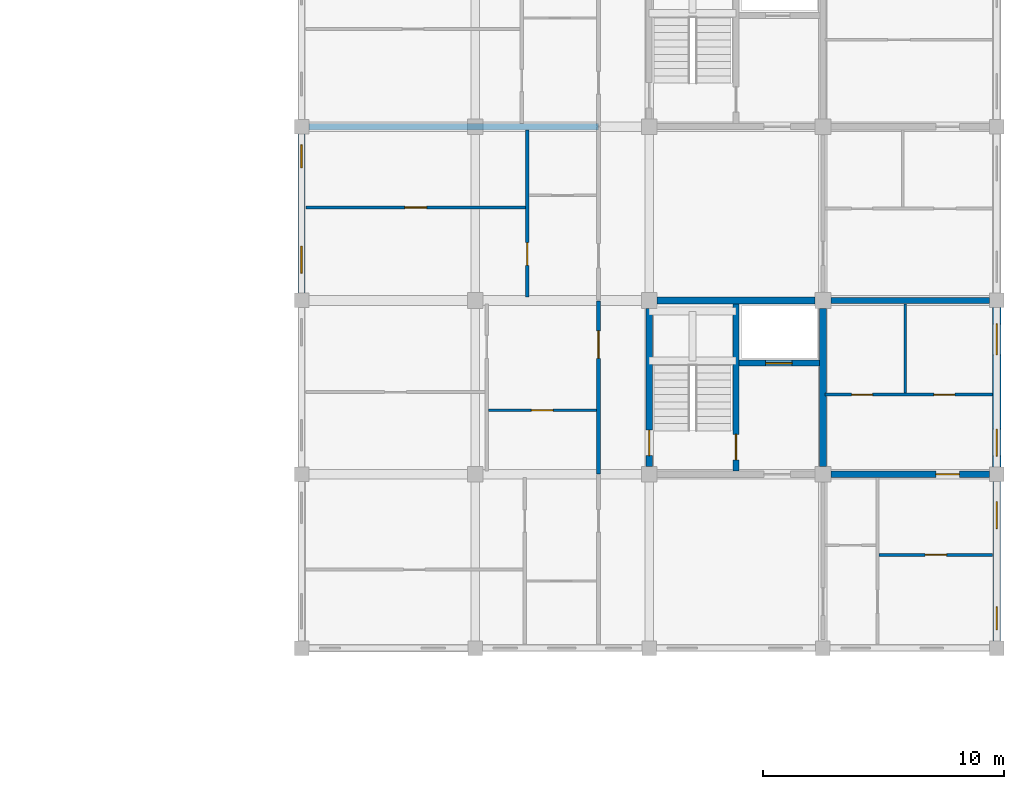
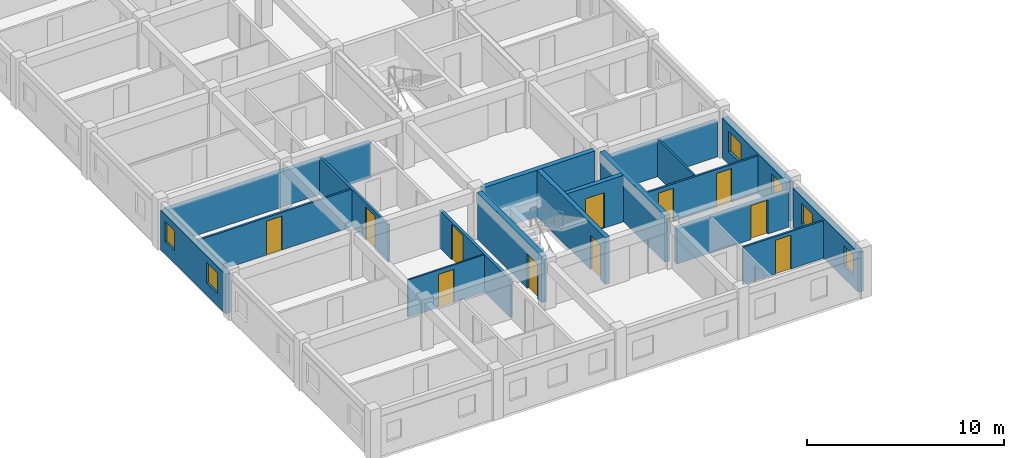
# One storey, part 30 of 50: 18 walls, 11 doors, 6 windows, 17 openings.
"""IFC4 building model written with IfcOpenShell, lengths in metres."""

from ifc_helpers import new_model, si_unit, direction, frame, frame_2d, origin, place, context, subcontext, project, spatial, rectangle, extrude, material, layer, layer_set, type_object, element, fill, save


model = new_model("IFC4")

# Units and contexts
model_context = context("Model", 3, precision=1e-05, world=origin(), true_north=direction((0.0, 1.0)))
body_context = subcontext(model_context, "Body", "Model", "MODEL_VIEW")
ifc_project = project(units=[si_unit("LENGTHUNIT", "METRE"), si_unit("AREAUNIT", "SQUARE_METRE"), si_unit("VOLUMEUNIT", "CUBIC_METRE"), si_unit("PLANEANGLEUNIT", "RADIAN"), si_unit("MASSUNIT", "GRAM", prefix="KILO"), si_unit("THERMODYNAMICTEMPERATUREUNIT", "KELVIN"), si_unit("POWERUNIT", "WATT")], contexts=[model_context])

# Site, building, storey
site_placement = place(None, origin())
site = spatial("IfcSite", under=ifc_project, at=site_placement, CompositionType="ELEMENT")
building_placement = place(site_placement, origin())
building = spatial("IfcBuilding", under=site, at=building_placement, Name="Tavuni Mirador Residences", CompositionType="ELEMENT")
storey_placement = place(building_placement, frame((0.0, 0.0, 4.5)))
storey = spatial("IfcBuildingStorey", under=building, at=storey_placement, Name="L01", CompositionType="ELEMENT", Elevation=4.5)

# Wall, opening, door
ifc_material_1 = material(Name="Precast concrete C40/50", Category="concrete")
ifc_layer_1 = layer(ifc_material_1, 0.25, Name="Precast concrete C40/50", Category="concrete")
ifc_layer_set_1 = layer_set([ifc_layer_1], Name="Precast concrete C40/50")
wall_type_1 = type_object("IfcWallType", Name="WT-COR250", PredefinedType="SHEAR", material=ifc_layer_set_1)
wall_1_placement = place(storey_placement, frame((108.0, 93.739990234375, 0.0), z_axis=(0.0, 0.0, 1.0), x_axis=(0.0, 1.0, 0.0)))
wall_1 = element("IfcWall", 1, at=wall_1_placement, inside=storey, type_object=wall_type_1, Name="CWALL-C7-L01-MID", PredefinedType="SHEAR", context=body_context, shape_type="SweptSolid", body=[
    extrude(rectangle(XDim=6.919921875, YDim=0.25, at=frame_2d((3.4599609375, 0.0))), origin(), (0.0, 0.0, 1.0), 2.889892578125),
])
opening_1_placement = place(wall_1_placement, frame((0.4599609375, 0.0, 0.0)))
opening_1 = element("IfcOpeningElement", 2, at=opening_1_placement, cuts=wall_1, Name="Opening D-01", PredefinedType="OPENING", context=body_context, shape_type="SweptSolid", body=[
    extrude(rectangle(XDim=1.050048828125, YDim=2.14990234375, at=frame_2d((0.52490234375, 1.074951171875))), frame((0.0, 0.135009765625, 0.0), z_axis=(0.0, -1.0, 0.0), x_axis=(1.0, 0.0, 0.0)), (0.0, 0.0, 1.0), 0.27001953125),
])
ifc_material_2 = material(Name="Solid core iroko timber", Category="wood")
door_type_1 = type_object("IfcDoorType", Name="DT-ST1050", OperationType="NOTDEFINED", PredefinedType="DOOR", material=ifc_material_2)
door_1_placement = place(opening_1_placement, origin())
door_1 = element("IfcDoor", 3, at=door_1_placement, inside=storey, type_object=door_type_1, Name="DR-2271", OperationType="SINGLE_SWING_LEFT", OverallHeight=2.14990234375, OverallWidth=1.050048828125, PredefinedType="DOOR", context=body_context, shape_type="SweptSolid", body=[
    extrude(rectangle(XDim=1.050048828125, YDim=2.14990234375, at=frame_2d((0.52490234375, 1.074951171875))), frame((0.0, 0.02490234375, 0.0), z_axis=(0.0, -1.0, 0.0), x_axis=(1.0, 0.0, 0.0)), (0.0, 0.0, 1.0), 0.050048828125),
])
fill(opening_1, door_1)

wall_2_placement = place(storey_placement, frame((108.125, 98.199951171875, 0.0), z_axis=(0.0, 0.0, 1.0), x_axis=(1.0, 0.0, 0.0)))
wall_2 = element("IfcWall", 4, at=wall_2_placement, inside=storey, type_object=wall_type_1, Name="CWALL-C7-L01-SHF", PredefinedType="SHEAR", context=body_context, shape_type="SweptSolid", body=[
    extrude(rectangle(XDim=3.3349609375, YDim=0.25, at=frame_2d((1.66748046875, 0.0))), origin(), (0.0, 0.0, 1.0), 2.889892578125),
])
opening_2_placement = place(wall_2_placement, frame((1.10009765625, 0.0, 0.0)))
opening_2 = element("IfcOpeningElement", 5, at=opening_2_placement, cuts=wall_2, Name="Opening LD-01", PredefinedType="OPENING", context=body_context, shape_type="SweptSolid", body=[
    extrude(rectangle(XDim=1.10009765625, YDim=2.199951171875, at=frame_2d((0.550048828125, 1.10009765625))), frame((0.0, 0.135009765625, 0.0), z_axis=(0.0, -1.0, 0.0), x_axis=(1.0, 0.0, 0.0)), (0.0, 0.0, 1.0), 0.27001953125),
])
ifc_material_3 = material(Name="Structural steel S355", Category="steel")
door_type_2 = type_object("IfcDoorType", Name="DT-LD-FF", OperationType="SLIDING_TO_LEFT", PredefinedType="DOOR", material=ifc_material_3)
door_2_placement = place(opening_2_placement, origin())
door_2 = element("IfcDoor", 6, at=door_2_placement, inside=storey, type_object=door_type_2, Name="Lift landing door FL-D1 L01", OperationType="SLIDING_TO_LEFT", OverallHeight=2.199951171875, OverallWidth=1.10009765625, PredefinedType="DOOR", context=body_context, shape_type="SweptSolid", body=[
    extrude(rectangle(XDim=1.10009765625, YDim=2.199951171875, at=frame_2d((0.550048828125, 1.10009765625))), frame((0.0, 0.02490234375, 0.0), z_axis=(0.0, -1.0, 0.0), x_axis=(1.0, 0.0, 0.0)), (0.0, 0.0, 1.0), 0.050048828125),
])
fill(opening_2, door_2)

ifc_layer_2 = layer(ifc_material_1, 0.280029296875, Name="Precast concrete C40/50", Category="concrete")
ifc_layer_set_2 = layer_set([ifc_layer_2], Name="Precast concrete C40/50")
wall_type_2 = type_object("IfcWallType", Name="WT-COR280", PredefinedType="SHEAR", material=ifc_layer_set_2)
wall_3_placement = place(storey_placement, frame((104.39990234375, 93.925048828125, 0.0), z_axis=(0.0, 0.0, 1.0), x_axis=(0.0, 1.0, 0.0)))
wall_3 = element("IfcWall", 7, at=wall_3_placement, inside=storey, type_object=wall_type_2, Name="CWALL-C7-L01-W", PredefinedType="SHEAR", context=body_context, shape_type="SweptSolid", body=[
    extrude(rectangle(XDim=6.550048828125, YDim=0.280029296875, at=frame_2d((3.27490234375, 0.0))), origin(), (0.0, 0.0, 1.0), 2.889892578125),
])
opening_3_placement = place(wall_3_placement, frame((0.449951171875, 0.0, 0.0)))
opening_3 = element("IfcOpeningElement", 8, at=opening_3_placement, cuts=wall_3, Name="Opening D-01", PredefinedType="OPENING", context=body_context, shape_type="SweptSolid", body=[
    extrude(rectangle(XDim=1.050048828125, YDim=2.14990234375, at=frame_2d((0.52490234375, 1.074951171875))), frame((0.0, 0.14990234375, 0.0), z_axis=(0.0, -1.0, 0.0), x_axis=(1.0, 0.0, 0.0)), (0.0, 0.0, 1.0), 0.300048828125),
])
door_3_placement = place(opening_3_placement, origin())
door_3 = element("IfcDoor", 9, at=door_3_placement, inside=storey, type_object=door_type_1, Name="DR-2269", OperationType="SINGLE_SWING_RIGHT", OverallHeight=2.14990234375, OverallWidth=1.050048828125, PredefinedType="DOOR", context=body_context, shape_type="SweptSolid", body=[
    extrude(rectangle(XDim=1.050048828125, YDim=2.14990234375, at=frame_2d((0.52490234375, 1.074951171875))), frame((0.0, 0.02490234375, 0.0), z_axis=(0.0, -1.0, 0.0), x_axis=(1.0, 0.0, 0.0)), (0.0, 0.0, 1.0), 0.050048828125),
])
fill(opening_3, door_3)

# Walls
wall_4_placement = place(storey_placement, frame((104.72509765625, 100.800048828125, 0.0), z_axis=(0.0, 0.0, 1.0), x_axis=(1.0, 0.0, 0.0)))
element("IfcWall", 10, at=wall_4_placement, inside=storey, type_object=wall_type_2, Name="CWALL-C7-L01-N", PredefinedType="SHEAR", context=body_context, shape_type="SweptSolid", body=[
    extrude(rectangle(XDim=6.5498046875, YDim=0.280029296875, at=frame_2d((3.27490234375, 0.0))), origin(), (0.0, 0.0, 1.0), 2.889892578125),
])
wall_5_placement = place(storey_placement, frame((111.60009765625, 93.925048828125, 0.0), z_axis=(0.0, 0.0, 1.0), x_axis=(0.0, 1.0, 0.0)))
element("IfcWall", 11, at=wall_5_placement, inside=storey, type_object=wall_type_2, Name="CWALL-C7-L01-E", PredefinedType="SHEAR", context=body_context, shape_type="SweptSolid", body=[
    extrude(rectangle(XDim=6.550048828125, YDim=0.280029296875, at=frame_2d((3.27490234375, 0.0))), origin(), (0.0, 0.0, 1.0), 2.889892578125),
])

# Wall, opening, door
ifc_layer_3 = layer(ifc_material_1, 0.1650390625, Name="Precast concrete C40/50", Category="concrete")
ifc_layer_set_3 = layer_set([ifc_layer_3], Name="Precast concrete C40/50")
wall_type_3 = type_object("IfcWallType", Name="WT-CORR165", PredefinedType="PARTITIONING", material=ifc_layer_set_3)
wall_6_placement = place(storey_placement, frame((102.300048828125, 93.6201171875, 0.0), z_axis=(0.0, 0.0, 1.0), x_axis=(0.0, 1.0, 0.0)))
wall_6 = element("IfcWall", 12, at=wall_6_placement, inside=storey, type_object=wall_type_3, Name="CORW-BLK-D-L01-0-01", PredefinedType="PARTITIONING", context=body_context, shape_type="SweptSolid", body=[
    extrude(rectangle(XDim=7.159912109375, YDim=0.1650390625, at=frame_2d((3.580078125, 0.0))), origin(), (0.0, 0.0, 1.0), 2.324951171875),
])
opening_4_placement = place(wall_6_placement, frame((4.780029296875, 0.0, 0.0)))
opening_4 = element("IfcOpeningElement", 13, at=opening_4_placement, cuts=wall_6, Name="Opening D-20", PredefinedType="OPENING", context=body_context, shape_type="SweptSolid", body=[
    extrude(rectangle(XDim=1.139892578125, YDim=2.179931640625, at=frame_2d((0.56982421875, 1.08984375))), frame((0.0, 0.092529296875, 0.0), z_axis=(0.0, -1.0, 0.0), x_axis=(1.0, 0.0, 0.0)), (0.0, 0.0, 1.0), 0.18505859375),
])
door_type_3 = type_object("IfcDoorType", Name="DT-FD60-1140", OperationType="NOTDEFINED", PredefinedType="DOOR", material=ifc_material_2)
door_4_placement = place(opening_4_placement, origin())
door_4 = element("IfcDoor", 14, at=door_4_placement, inside=storey, type_object=door_type_3, Name="DR-2822", OperationType="SINGLE_SWING_LEFT", OverallHeight=2.179931640625, OverallWidth=1.139892578125, PredefinedType="DOOR", context=body_context, shape_type="SweptSolid", body=[
    extrude(rectangle(XDim=1.139892578125, YDim=2.179931640625, at=frame_2d((0.56982421875, 1.08984375))), frame((0.0, 0.02490234375, 0.0), z_axis=(0.0, -1.0, 0.0), x_axis=(1.0, 0.0, 0.0)), (0.0, 0.0, 1.0), 0.050048828125),
])
fill(opening_4, door_4)

# Wall, openings, windows
ifc_material_4 = material(Name="Sgraffito lime-rendered precast concrete C40/50", Category="concrete")
ifc_layer_4 = layer(ifc_material_4, 0.2900390625, Name="Sgraffito lime-rendered precast concrete C40/50", Category="concrete")
ifc_layer_set_4 = layer_set([ifc_layer_4], Name="Sgraffito lime-rendered precast concrete C40/50")
wall_type_4 = type_object("IfcWallType", Name="WT-EXT-PC290", PredefinedType="SOLIDWALL", material=ifc_layer_set_4)
wall_7_placement = place(storey_placement, frame((90.0, 107.699951171875, 0.0), z_axis=(0.0, 0.0, 1.0), x_axis=(0.0, -1.0, 0.0)))
wall_7 = element("IfcWall", 15, at=wall_7_placement, inside=storey, type_object=wall_type_4, Name="EW-BLK-D-L01-W02", PredefinedType="SOLIDWALL", context=body_context, shape_type="SweptSolid", body=[
    extrude(rectangle(XDim=6.599853515625, YDim=0.2900390625, at=frame_2d((3.2998046875, 0.0))), origin(), (0.0, 0.0, 1.0), 2.4599609375),
])
opening_5_placement = place(wall_7_placement, frame((0.449951171875, 0.0, 0.780029296875)))
opening_5 = element("IfcOpeningElement", 16, at=opening_5_placement, cuts=wall_7, Name="Opening WN-10", PredefinedType="OPENING", context=body_context, shape_type="SweptSolid", body=[
    extrude(rectangle(XDim=0.9599609375, YDim=1.260009765625, at=frame_2d((0.47998046875, 0.6298828125))), frame((0.0, 0.155029296875, 0.0), z_axis=(0.0, -1.0, 0.0), x_axis=(1.0, 0.0, 0.0)), (0.0, 0.0, 1.0), 0.31005859375),
])
opening_6_placement = place(wall_7_placement, frame((4.64990234375, 0.0, 0.780029296875)))
opening_6 = element("IfcOpeningElement", 17, at=opening_6_placement, cuts=wall_7, Name="Opening WN-12", PredefinedType="OPENING", context=body_context, shape_type="SweptSolid", body=[
    extrude(rectangle(XDim=1.1201171875, YDim=1.260009765625, at=frame_2d((0.56005859375, 0.6298828125))), frame((0.0, 0.155029296875, 0.0), z_axis=(0.0, -1.0, 0.0), x_axis=(1.0, 0.0, 0.0)), (0.0, 0.0, 1.0), 0.31005859375),
])
ifc_material_5 = material(Name="Laminated solar-control glass", Category="glass")
window_type_1 = type_object("IfcWindowType", Name="WNT-10", PartitioningType="SINGLE_PANEL", PredefinedType="WINDOW", material=ifc_material_5)
window_1_placement = place(opening_5_placement, origin())
window_1 = element("IfcWindow", 18, at=window_1_placement, inside=storey, type_object=window_type_1, Name="WIN-1478", OverallHeight=1.260009765625, OverallWidth=0.9599609375, PartitioningType="SINGLE_PANEL", PredefinedType="WINDOW", context=body_context, shape_type="SweptSolid", body=[
    extrude(rectangle(XDim=0.9599609375, YDim=1.260009765625, at=frame_2d((0.47998046875, 0.6298828125))), frame((0.0, 0.030029296875, 0.0), z_axis=(0.0, -1.0, 0.0), x_axis=(1.0, 0.0, 0.0)), (0.0, 0.0, 1.0), 0.06005859375),
])
fill(opening_5, window_1)
window_type_2 = type_object("IfcWindowType", Name="WNT-12", PartitioningType="SINGLE_PANEL", PredefinedType="WINDOW", material=ifc_material_5)
window_2_placement = place(opening_6_placement, origin())
window_2 = element("IfcWindow", 19, at=window_2_placement, inside=storey, type_object=window_type_2, Name="WIN-1479", OverallHeight=1.260009765625, OverallWidth=1.1201171875, PartitioningType="SINGLE_PANEL", PredefinedType="WINDOW", context=body_context, shape_type="SweptSolid", body=[
    extrude(rectangle(XDim=1.1201171875, YDim=1.260009765625, at=frame_2d((0.56005859375, 0.6298828125))), frame((0.0, 0.030029296875, 0.0), z_axis=(0.0, -1.0, 0.0), x_axis=(1.0, 0.0, 0.0)), (0.0, 0.0, 1.0), 0.06005859375),
])
fill(opening_6, window_2)

ifc_layer_5 = layer(ifc_material_4, 0.31494140625, Name="Sgraffito lime-rendered precast concrete C40/50", Category="concrete")
ifc_layer_set_5 = layer_set([ifc_layer_5], Name="Sgraffito lime-rendered precast concrete C40/50")
wall_type_5 = type_object("IfcWallType", Name="WT-EXT-PC315", PredefinedType="SOLIDWALL", material=ifc_layer_set_5)
wall_8_placement = place(storey_placement, frame((118.800048828125, 86.699951171875, 0.0), z_axis=(0.0, 0.0, 1.0), x_axis=(0.0, 1.0, 0.0)))
wall_8 = element("IfcWall", 20, at=wall_8_placement, inside=storey, type_object=wall_type_5, Name="EW-BLK-D-L01-E00", PredefinedType="SOLIDWALL", context=body_context, shape_type="SweptSolid", body=[
    extrude(rectangle(XDim=6.60009765625, YDim=0.31494140625, at=frame_2d((3.300048828125, 0.0))), origin(), (0.0, 0.0, 1.0), 2.4599609375),
])
opening_7_placement = place(wall_8_placement, frame((0.449951171875, 0.0, 0.780029296875)))
opening_7 = element("IfcOpeningElement", 21, at=opening_7_placement, cuts=wall_8, Name="Opening WN-10", PredefinedType="OPENING", context=body_context, shape_type="SweptSolid", body=[
    extrude(rectangle(XDim=0.9599609375, YDim=1.260009765625, at=frame_2d((0.47998046875, 0.6298828125))), frame((0.0, 0.16748046875, 0.0), z_axis=(0.0, -1.0, 0.0), x_axis=(1.0, 0.0, 0.0)), (0.0, 0.0, 1.0), 0.3349609375),
])
opening_8_placement = place(wall_8_placement, frame((4.64990234375, 0.0, 0.780029296875)))
opening_8 = element("IfcOpeningElement", 22, at=opening_8_placement, cuts=wall_8, Name="Opening WN-12", PredefinedType="OPENING", context=body_context, shape_type="SweptSolid", body=[
    extrude(rectangle(XDim=1.1201171875, YDim=1.260009765625, at=frame_2d((0.56005859375, 0.6298828125))), frame((0.0, 0.16748046875, 0.0), z_axis=(0.0, -1.0, 0.0), x_axis=(1.0, 0.0, 0.0)), (0.0, 0.0, 1.0), 0.3349609375),
])
window_3_placement = place(opening_7_placement, origin())
window_3 = element("IfcWindow", 23, at=window_3_placement, inside=storey, type_object=window_type_1, Name="WIN-1448", OverallHeight=1.260009765625, OverallWidth=0.9599609375, PartitioningType="SINGLE_PANEL", PredefinedType="WINDOW", context=body_context, shape_type="SweptSolid", body=[
    extrude(rectangle(XDim=0.9599609375, YDim=1.260009765625, at=frame_2d((0.47998046875, 0.6298828125))), frame((0.0, 0.030029296875, 0.0), z_axis=(0.0, -1.0, 0.0), x_axis=(1.0, 0.0, 0.0)), (0.0, 0.0, 1.0), 0.06005859375),
])
fill(opening_7, window_3)
window_4_placement = place(opening_8_placement, origin())
window_4 = element("IfcWindow", 24, at=window_4_placement, inside=storey, type_object=window_type_2, Name="WIN-1449", OverallHeight=1.260009765625, OverallWidth=1.1201171875, PartitioningType="SINGLE_PANEL", PredefinedType="WINDOW", context=body_context, shape_type="SweptSolid", body=[
    extrude(rectangle(XDim=1.1201171875, YDim=1.260009765625, at=frame_2d((0.56005859375, 0.6298828125))), frame((0.0, 0.030029296875, 0.0), z_axis=(0.0, -1.0, 0.0), x_axis=(1.0, 0.0, 0.0)), (0.0, 0.0, 1.0), 0.06005859375),
])
fill(opening_8, window_4)

ifc_layer_6 = layer(ifc_material_4, 0.344970703125, Name="Sgraffito lime-rendered precast concrete C40/50", Category="concrete")
ifc_layer_set_6 = layer_set([ifc_layer_6], Name="Sgraffito lime-rendered precast concrete C40/50")
wall_type_6 = type_object("IfcWallType", Name="WT-EXT-PTY345", PredefinedType="SOLIDWALL", material=ifc_layer_set_6)
wall_9_placement = place(storey_placement, frame((118.800048828125, 93.89990234375, 0.0), z_axis=(0.0, 0.0, 1.0), x_axis=(0.0, 1.0, 0.0)))
wall_9 = element("IfcWall", 25, at=wall_9_placement, inside=storey, type_object=wall_type_6, Name="EW-BLK-D-L01-E01", PredefinedType="SOLIDWALL", context=body_context, shape_type="SweptSolid", body=[
    extrude(rectangle(XDim=6.60009765625, YDim=0.344970703125, at=frame_2d((3.300048828125, 0.0))), origin(), (0.0, 0.0, 1.0), 2.4599609375),
])
opening_9_placement = place(wall_9_placement, frame((0.449951171875, 0.0, 0.780029296875)))
opening_9 = element("IfcOpeningElement", 26, at=opening_9_placement, cuts=wall_9, Name="Opening WN-12", PredefinedType="OPENING", context=body_context, shape_type="SweptSolid", body=[
    extrude(rectangle(XDim=1.1201171875, YDim=1.260009765625, at=frame_2d((0.56005859375, 0.6298828125))), frame((0.0, 0.1826171875, 0.0), z_axis=(0.0, -1.0, 0.0), x_axis=(1.0, 0.0, 0.0)), (0.0, 0.0, 1.0), 0.364990234375),
])
opening_10_placement = place(wall_9_placement, frame((4.64990234375, 0.0, 0.780029296875)))
opening_10 = element("IfcOpeningElement", 27, at=opening_10_placement, cuts=wall_9, Name="Opening WN-14", PredefinedType="OPENING", context=body_context, shape_type="SweptSolid", body=[
    extrude(rectangle(XDim=1.280029296875, YDim=1.260009765625, at=frame_2d((0.64013671875, 0.6298828125))), frame((0.0, 0.1826171875, 0.0), z_axis=(0.0, -1.0, 0.0), x_axis=(1.0, 0.0, 0.0)), (0.0, 0.0, 1.0), 0.364990234375),
])
window_5_placement = place(opening_9_placement, origin())
window_5 = element("IfcWindow", 28, at=window_5_placement, inside=storey, type_object=window_type_2, Name="WIN-1450", OverallHeight=1.260009765625, OverallWidth=1.1201171875, PartitioningType="SINGLE_PANEL", PredefinedType="WINDOW", context=body_context, shape_type="SweptSolid", body=[
    extrude(rectangle(XDim=1.1201171875, YDim=1.260009765625, at=frame_2d((0.56005859375, 0.6298828125))), frame((0.0, 0.030029296875, 0.0), z_axis=(0.0, -1.0, 0.0), x_axis=(1.0, 0.0, 0.0)), (0.0, 0.0, 1.0), 0.06005859375),
])
fill(opening_9, window_5)
window_type_3 = type_object("IfcWindowType", Name="WNT-14", PartitioningType="SINGLE_PANEL", PredefinedType="WINDOW", material=ifc_material_5)
window_6_placement = place(opening_10_placement, origin())
window_6 = element("IfcWindow", 29, at=window_6_placement, inside=storey, type_object=window_type_3, Name="WIN-1451", OverallHeight=1.260009765625, OverallWidth=1.280029296875, PartitioningType="SINGLE_PANEL", PredefinedType="WINDOW", context=body_context, shape_type="SweptSolid", body=[
    extrude(rectangle(XDim=1.280029296875, YDim=1.260009765625, at=frame_2d((0.64013671875, 0.6298828125))), frame((0.0, 0.030029296875, 0.0), z_axis=(0.0, -1.0, 0.0), x_axis=(1.0, 0.0, 0.0)), (0.0, 0.0, 1.0), 0.06005859375),
])
fill(opening_10, window_6)

# Wall, opening, door
ifc_material_6 = material(Name="Acoustic gypsum and concrete block partition", Category="concrete")
ifc_layer_7 = layer(ifc_material_6, 0.094970703125, Name="Acoustic gypsum and concrete block partition", Category="concrete")
ifc_layer_set_7 = layer_set([ifc_layer_7], Name="Acoustic gypsum and concrete block partition")
wall_type_7 = type_object("IfcWallType", Name="WT-PART095", PredefinedType="PARTITIONING", material=ifc_layer_set_7)
wall_10_placement = place(storey_placement, frame((97.739990234375, 96.25, 0.0), z_axis=(0.0, 0.0, 1.0), x_axis=(1.0, 0.0, 0.0)))
wall_10 = element("IfcWall", 30, at=wall_10_placement, inside=storey, type_object=wall_type_7, Name="PW-BLK-D-L01-W01-IN1", PredefinedType="PARTITIONING", context=body_context, shape_type="SweptSolid", body=[
    extrude(rectangle(XDim=4.469970703125, YDim=0.094970703125, at=frame_2d((2.23486328125, 0.0))), origin(), (0.0, 0.0, 1.0), 2.324951171875),
])
opening_11_placement = place(wall_10_placement, frame((1.784912109375, 0.0, 0.0)))
opening_11 = element("IfcOpeningElement", 31, at=opening_11_placement, cuts=wall_10, Name="Opening D-09", PredefinedType="OPENING", context=body_context, shape_type="SweptSolid", body=[
    extrude(rectangle(XDim=0.89990234375, YDim=2.050048828125, at=frame_2d((0.449951171875, 1.02490234375))), frame((0.0, 0.0576171875, 0.0), z_axis=(0.0, -1.0, 0.0), x_axis=(1.0, 0.0, 0.0)), (0.0, 0.0, 1.0), 0.114990234375),
])
door_type_4 = type_object("IfcDoorType", Name="DT-WC900", OperationType="NOTDEFINED", PredefinedType="DOOR", material=ifc_material_2)
door_5_placement = place(opening_11_placement, origin())
door_5 = element("IfcDoor", 32, at=door_5_placement, inside=storey, type_object=door_type_4, Name="DR-4320", OperationType="SINGLE_SWING_RIGHT", OverallHeight=2.050048828125, OverallWidth=0.89990234375, PredefinedType="DOOR", context=body_context, shape_type="SweptSolid", body=[
    extrude(rectangle(XDim=0.89990234375, YDim=2.050048828125, at=frame_2d((0.449951171875, 1.02490234375))), frame((0.0, 0.02490234375, 0.0), z_axis=(0.0, -1.0, 0.0), x_axis=(1.0, 0.0, 0.0)), (0.0, 0.0, 1.0), 0.050048828125),
])
fill(opening_11, door_5)

# Wall
ifc_layer_8 = layer(ifc_material_6, 0.10498046875, Name="Acoustic gypsum and concrete block partition", Category="concrete")
ifc_layer_set_8 = layer_set([ifc_layer_8], Name="Acoustic gypsum and concrete block partition")
wall_type_8 = type_object("IfcWallType", Name="WT-PART105", PredefinedType="PARTITIONING", material=ifc_layer_set_8)
wall_11_placement = place(storey_placement, frame((115.0, 96.969970703125, 0.0), z_axis=(0.0, 0.0, 1.0), x_axis=(0.0, 1.0, 0.0)))
element("IfcWall", 33, at=wall_11_placement, inside=storey, type_object=wall_type_8, Name="PW-BLK-D-L01-PF01-V", PredefinedType="PARTITIONING", context=body_context, shape_type="SweptSolid", body=[
    extrude(rectangle(XDim=3.68994140625, YDim=0.10498046875, at=frame_2d((1.844970703125, 0.0))), origin(), (0.0, 0.0, 1.0), 2.324951171875),
])

# Wall, opening, door
ifc_layer_9 = layer(ifc_material_6, 0.114990234375, Name="Acoustic gypsum and concrete block partition", Category="concrete")
ifc_layer_set_9 = layer_set([ifc_layer_9], Name="Acoustic gypsum and concrete block partition")
wall_type_9 = type_object("IfcWallType", Name="WT-PART115", PredefinedType="PARTITIONING", material=ifc_layer_set_9)
wall_12_placement = place(storey_placement, frame((113.929931640625, 90.260009765625, 0.0), z_axis=(0.0, 0.0, 1.0), x_axis=(1.0, 0.0, 0.0)))
wall_12 = element("IfcWall", 34, at=wall_12_placement, inside=storey, type_object=wall_type_9, Name="PW-BLK-D-L01-E00-OUT", PredefinedType="PARTITIONING", context=body_context, shape_type="SweptSolid", body=[
    extrude(rectangle(XDim=4.695068359375, YDim=0.114990234375, at=frame_2d((2.34765625, 0.0))), origin(), (0.0, 0.0, 1.0), 2.324951171875),
])
opening_12_placement = place(wall_12_placement, frame((1.8974609375, 0.0, 0.0)))
opening_12 = element("IfcOpeningElement", 35, at=opening_12_placement, cuts=wall_12, Name="Opening D-07", PredefinedType="OPENING", context=body_context, shape_type="SweptSolid", body=[
    extrude(rectangle(XDim=0.89990234375, YDim=2.10009765625, at=frame_2d((0.449951171875, 1.050048828125))), frame((0.0, 0.0673828125, 0.0), z_axis=(0.0, -1.0, 0.0), x_axis=(1.0, 0.0, 0.0)), (0.0, 0.0, 1.0), 0.135009765625),
])
door_type_5 = type_object("IfcDoorType", Name="DT-BED900", OperationType="NOTDEFINED", PredefinedType="DOOR", material=ifc_material_2)
door_6_placement = place(opening_12_placement, origin())
door_6 = element("IfcDoor", 36, at=door_6_placement, inside=storey, type_object=door_type_5, Name="DR-4316", OperationType="SINGLE_SWING_LEFT", OverallHeight=2.10009765625, OverallWidth=0.89990234375, PredefinedType="DOOR", context=body_context, shape_type="SweptSolid", body=[
    extrude(rectangle(XDim=0.89990234375, YDim=2.10009765625, at=frame_2d((0.449951171875, 1.050048828125))), frame((0.0, 0.02490234375, 0.0), z_axis=(0.0, -1.0, 0.0), x_axis=(1.0, 0.0, 0.0)), (0.0, 0.0, 1.0), 0.050048828125),
])
fill(opening_12, door_6)

# Wall, openings, doors
wall_13_placement = place(storey_placement, frame((111.68994140625, 96.89990234375, 0.0), z_axis=(0.0, 0.0, 1.0), x_axis=(1.0, 0.0, 0.0)))
wall_13 = element("IfcWall", 37, at=wall_13_placement, inside=storey, type_object=wall_type_9, Name="PW-BLK-D-L01-PF01-H", PredefinedType="PARTITIONING", context=body_context, shape_type="SweptSolid", body=[
    extrude(rectangle(XDim=6.93505859375, YDim=0.114990234375, at=frame_2d((3.467529296875, 0.0))), origin(), (0.0, 0.0, 1.0), 2.324951171875),
])
opening_13_placement = place(wall_13_placement, frame((1.10009765625, 0.0, 0.0)))
opening_13 = element("IfcOpeningElement", 38, at=opening_13_placement, cuts=wall_13, Name="Opening D-10", PredefinedType="OPENING", context=body_context, shape_type="SweptSolid", body=[
    extrude(rectangle(XDim=0.8701171875, YDim=2.050048828125, at=frame_2d((0.43505859375, 1.02490234375))), frame((0.0, 0.0673828125, 0.0), z_axis=(0.0, -1.0, 0.0), x_axis=(1.0, 0.0, 0.0)), (0.0, 0.0, 1.0), 0.135009765625),
])
opening_14_placement = place(wall_13_placement, frame((4.5, 0.0, 0.0)))
opening_14 = element("IfcOpeningElement", 39, at=opening_14_placement, cuts=wall_13, Name="Opening D-08", PredefinedType="OPENING", context=body_context, shape_type="SweptSolid", body=[
    extrude(rectangle(XDim=0.8798828125, YDim=2.080078125, at=frame_2d((0.43994140625, 1.0400390625))), frame((0.0, 0.0673828125, 0.0), z_axis=(0.0, -1.0, 0.0), x_axis=(1.0, 0.0, 0.0)), (0.0, 0.0, 1.0), 0.135009765625),
])
door_type_6 = type_object("IfcDoorType", Name="DT-BED880", OperationType="NOTDEFINED", PredefinedType="DOOR", material=ifc_material_2)
door_7_placement = place(opening_14_placement, origin())
door_7 = element("IfcDoor", 40, at=door_7_placement, inside=storey, type_object=door_type_6, Name="DR-4323", OperationType="SINGLE_SWING_RIGHT", OverallHeight=2.080078125, OverallWidth=0.8798828125, PredefinedType="DOOR", context=body_context, shape_type="SweptSolid", body=[
    extrude(rectangle(XDim=0.8798828125, YDim=2.080078125, at=frame_2d((0.43994140625, 1.0400390625))), frame((0.0, 0.02490234375, 0.0), z_axis=(0.0, -1.0, 0.0), x_axis=(1.0, 0.0, 0.0)), (0.0, 0.0, 1.0), 0.050048828125),
])
fill(opening_14, door_7)
door_type_7 = type_object("IfcDoorType", Name="DT-WC870", OperationType="NOTDEFINED", PredefinedType="DOOR", material=ifc_material_2)
door_8_placement = place(opening_13_placement, origin())
door_8 = element("IfcDoor", 41, at=door_8_placement, inside=storey, type_object=door_type_7, Name="DR-4322", OperationType="SINGLE_SWING_LEFT", OverallHeight=2.050048828125, OverallWidth=0.8701171875, PredefinedType="DOOR", context=body_context, shape_type="SweptSolid", body=[
    extrude(rectangle(XDim=0.8701171875, YDim=2.050048828125, at=frame_2d((0.43505859375, 1.02490234375))), frame((0.0, 0.02490234375, 0.0), z_axis=(0.0, -1.0, 0.0), x_axis=(1.0, 0.0, 0.0)), (0.0, 0.0, 1.0), 0.050048828125),
])
fill(opening_13, door_8)

# Wall, opening, door
wall_14_placement = place(storey_placement, frame((90.175048828125, 104.64990234375, 0.0), z_axis=(0.0, 0.0, 1.0), x_axis=(1.0, 0.0, 0.0)))
wall_14 = element("IfcWall", 42, at=wall_14_placement, inside=storey, type_object=wall_type_9, Name="PW-BLK-D-L01-W02-OUT", PredefinedType="PARTITIONING", context=body_context, shape_type="SweptSolid", body=[
    extrude(rectangle(XDim=9.10498046875, YDim=0.114990234375, at=frame_2d((4.552490234375, 0.0))), origin(), (0.0, 0.0, 1.0), 2.324951171875),
])
opening_15_placement = place(wall_14_placement, frame((4.1025390625, 0.0, 0.0)))
opening_15 = element("IfcOpeningElement", 43, at=opening_15_placement, cuts=wall_14, Name="Opening D-07", PredefinedType="OPENING", context=body_context, shape_type="SweptSolid", body=[
    extrude(rectangle(XDim=0.89990234375, YDim=2.10009765625, at=frame_2d((0.449951171875, 1.050048828125))), frame((0.0, 0.0673828125, 0.0), z_axis=(0.0, -1.0, 0.0), x_axis=(1.0, 0.0, 0.0)), (0.0, 0.0, 1.0), 0.135009765625),
])
door_9_placement = place(opening_15_placement, origin())
door_9 = element("IfcDoor", 44, at=door_9_placement, inside=storey, type_object=door_type_5, Name="DR-4324", OperationType="SINGLE_SWING_LEFT", OverallHeight=2.10009765625, OverallWidth=0.89990234375, PredefinedType="DOOR", context=body_context, shape_type="SweptSolid", body=[
    extrude(rectangle(XDim=0.89990234375, YDim=2.10009765625, at=frame_2d((0.449951171875, 1.050048828125))), frame((0.0, 0.02490234375, 0.0), z_axis=(0.0, -1.0, 0.0), x_axis=(1.0, 0.0, 0.0)), (0.0, 0.0, 1.0), 0.050048828125),
])
fill(opening_15, door_9)

ifc_layer_10 = layer(ifc_material_6, 0.139892578125, Name="Acoustic gypsum and concrete block partition", Category="concrete")
ifc_layer_set_10 = layer_set([ifc_layer_10], Name="Acoustic gypsum and concrete block partition")
wall_type_10 = type_object("IfcWallType", Name="WT-PART140", PredefinedType="PARTITIONING", material=ifc_layer_set_10)
wall_15_placement = place(storey_placement, frame((99.35009765625, 100.93994140625, 0.0), z_axis=(0.0, 0.0, 1.0), x_axis=(0.0, 1.0, 0.0)))
wall_15 = element("IfcWall", 45, at=wall_15_placement, inside=storey, type_object=wall_type_10, Name="PW-BLK-D-L01-W02-MID", PredefinedType="PARTITIONING", context=body_context, shape_type="SweptSolid", body=[
    extrude(rectangle(XDim=6.920166015625, YDim=0.139892578125, at=frame_2d((3.4599609375, 0.0))), origin(), (0.0, 0.0, 1.0), 2.324951171875),
])
opening_16_placement = place(wall_15_placement, frame((1.31005859375, 0.0, 0.0)))
opening_16 = element("IfcOpeningElement", 46, at=opening_16_placement, cuts=wall_15, Name="Opening D-05", PredefinedType="OPENING", context=body_context, shape_type="SweptSolid", body=[
    extrude(rectangle(XDim=0.949951171875, YDim=2.10009765625, at=frame_2d((0.47509765625, 1.050048828125))), frame((0.0, 0.080078125, 0.0), z_axis=(0.0, -1.0, 0.0), x_axis=(1.0, 0.0, 0.0)), (0.0, 0.0, 1.0), 0.159912109375),
])
door_type_8 = type_object("IfcDoorType", Name="DT-INT950", OperationType="NOTDEFINED", PredefinedType="DOOR", material=ifc_material_2)
door_10_placement = place(opening_16_placement, origin())
door_10 = element("IfcDoor", 47, at=door_10_placement, inside=storey, type_object=door_type_8, Name="DR-4326", OperationType="SINGLE_SWING_LEFT", OverallHeight=2.10009765625, OverallWidth=0.949951171875, PredefinedType="DOOR", context=body_context, shape_type="SweptSolid", body=[
    extrude(rectangle(XDim=0.949951171875, YDim=2.10009765625, at=frame_2d((0.47509765625, 1.050048828125))), frame((0.0, 0.02490234375, 0.0), z_axis=(0.0, -1.0, 0.0), x_axis=(1.0, 0.0, 0.0)), (0.0, 0.0, 1.0), 0.050048828125),
])
fill(opening_16, door_10)

ifc_layer_11 = layer(ifc_material_1, 0.264892578125, Name="Precast concrete C40/50", Category="concrete")
ifc_layer_set_11 = layer_set([ifc_layer_11], Name="Precast concrete C40/50")
wall_type_11 = type_object("IfcWallType", Name="WT-XW265", PredefinedType="SOLIDWALL", material=ifc_layer_set_11)
wall_16_placement = place(storey_placement, frame((111.925048828125, 93.60009765625, 0.0), z_axis=(0.0, 0.0, 1.0), x_axis=(1.0, 0.0, 0.0)))
wall_16 = element("IfcWall", 48, at=wall_16_placement, inside=storey, type_object=wall_type_11, Name="XW-BLK-D-L01-E-01", PredefinedType="SOLIDWALL", context=body_context, shape_type="SweptSolid", body=[
    extrude(rectangle(XDim=6.574951171875, YDim=0.264892578125, at=frame_2d((3.28759765625, 0.0))), origin(), (0.0, 0.0, 1.0), 2.18994140625),
])
opening_17_placement = place(wall_16_placement, frame((4.35009765625, 0.0, 0.0)))
opening_17 = element("IfcOpeningElement", 49, at=opening_17_placement, cuts=wall_16, Name="Opening D-04", PredefinedType="OPENING", context=body_context, shape_type="SweptSolid", body=[
    extrude(rectangle(XDim=0.97998046875, YDim=2.1201171875, at=frame_2d((0.489990234375, 1.06005859375))), frame((0.0, 0.142578125, 0.0), z_axis=(0.0, -1.0, 0.0), x_axis=(1.0, 0.0, 0.0)), (0.0, 0.0, 1.0), 0.284912109375),
])
door_type_9 = type_object("IfcDoorType", Name="DT-FD60-980", OperationType="NOTDEFINED", PredefinedType="DOOR", material=ifc_material_2)
door_11_placement = place(opening_17_placement, origin())
door_11 = element("IfcDoor", 50, at=door_11_placement, inside=storey, type_object=door_type_9, Name="DR-4760", OperationType="SINGLE_SWING_LEFT", OverallHeight=2.1201171875, OverallWidth=0.97998046875, PredefinedType="DOOR", context=body_context, shape_type="SweptSolid", body=[
    extrude(rectangle(XDim=0.97998046875, YDim=2.1201171875, at=frame_2d((0.489990234375, 1.06005859375))), frame((0.0, 0.02490234375, 0.0), z_axis=(0.0, -1.0, 0.0), x_axis=(1.0, 0.0, 0.0)), (0.0, 0.0, 1.0), 0.050048828125),
])
fill(opening_17, door_11)

# Walls
wall_17_placement = place(storey_placement, frame((111.925048828125, 100.800048828125, 0.0), z_axis=(0.0, 0.0, 1.0), x_axis=(1.0, 0.0, 0.0)))
element("IfcWall", 51, at=wall_17_placement, inside=storey, type_object=wall_type_11, Name="XW-BLK-D-L01-E-02", PredefinedType="SOLIDWALL", context=body_context, shape_type="SweptSolid", body=[
    extrude(rectangle(XDim=6.574951171875, YDim=0.264892578125, at=frame_2d((3.28759765625, 0.0))), origin(), (0.0, 0.0, 1.0), 2.18994140625),
])
wall_18_placement = place(storey_placement, frame((90.300048828125, 108.0, 0.0), z_axis=(0.0, 0.0, 1.0), x_axis=(1.0, 0.0, 0.0)))
element("IfcWall", 52, at=wall_18_placement, inside=storey, type_object=wall_type_11, Name="XW-BLK-D-L01-W-03", PredefinedType="SOLIDWALL", context=body_context, shape_type="SweptSolid", body=[
    extrude(rectangle(XDim=12.0, YDim=0.264892578125, at=frame_2d((6.0, 0.0))), origin(), (0.0, 0.0, 1.0), 2.18994140625),
])

save(model, "model.ifc")
